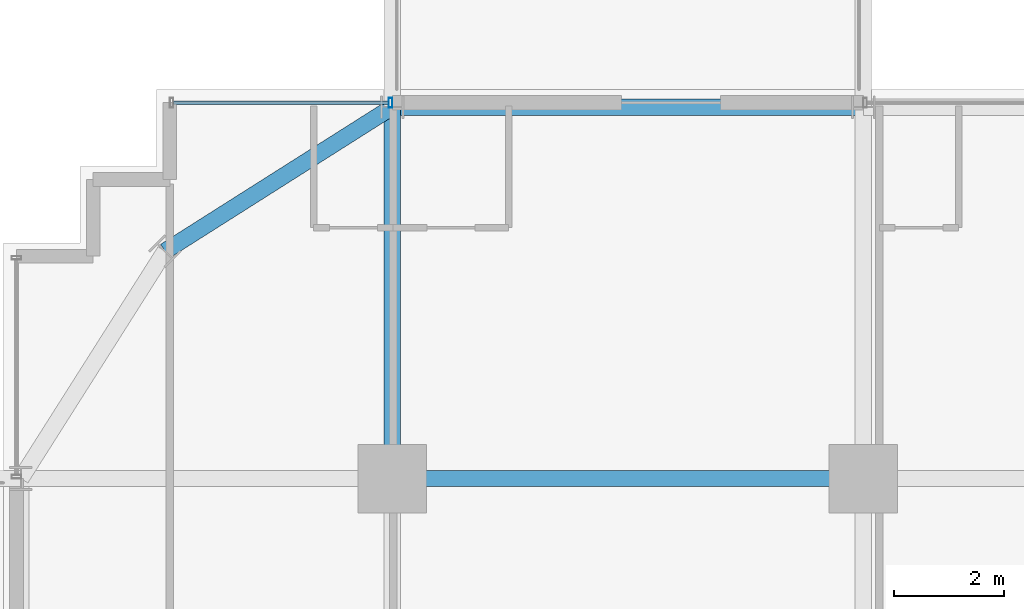
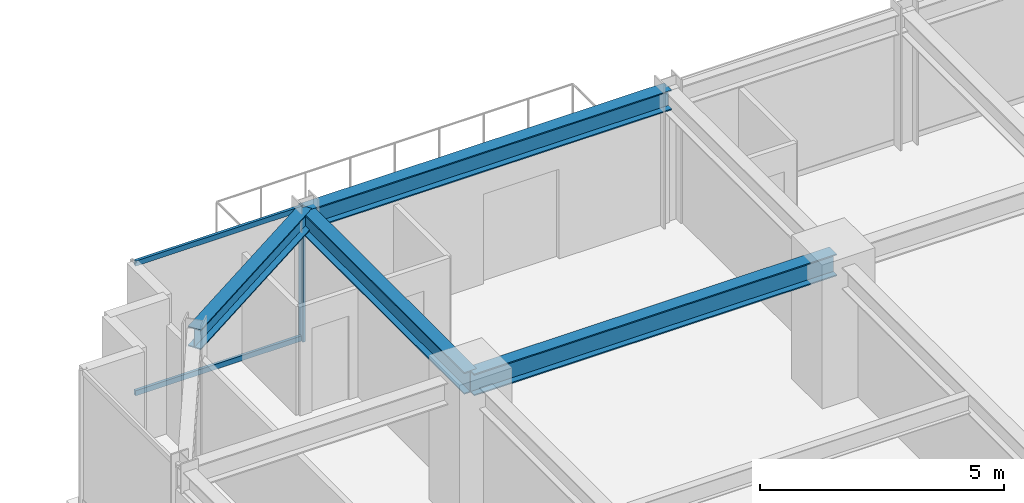
# One storey, part 19 of 35: 4 beams, 3 members, 1 element without a shape of its own.
"""IFC4 building model written with IfcOpenShell, lengths in metres."""

import ifcopenshell
import ifcopenshell.guid

model = None  # the IFC model being written
_history = None  # IfcOwnerHistory: only IFC2X3 demands one
_inside = {}  # id of a spatial element -> (the spatial element, [elements in it])
_under = {}  # id of a project, library or spatial element -> (it, [spatial elements below it])
_declared = {}  # id of a project -> (the project, [libraries it declares])
_typed = {}  # id of a type object -> (the type object, [elements of that type])
_made_of = {}  # id of a material, layer set ... -> (it, [elements and type objects made of it])


def new_model(schema):
    """Start an empty IFC model of exactly this schema.

    Asked for "IFC4X3", IfcOpenShell would pick the latest addendum, in which some entities
    have other attributes; the version numbers below select the first issue.
    IFC2X3 requires an IfcOwnerHistory on every rooted entity: one is made here for all.
    """
    global model, _history
    if schema == "IFC4X3":
        model = ifcopenshell.file(schema_version=(4, 3, 0, 0))
    else:
        model = ifcopenshell.file(schema=schema)
    _inside.clear()
    _under.clear()
    _declared.clear()
    _typed.clear()
    _made_of.clear()
    _history = None
    if model.schema == "IFC2X3":
        org = make("IfcOrganization", Name="unknown")
        user = make(
            "IfcPersonAndOrganization",
            ThePerson=make("IfcPerson", FamilyName="unknown"),
            TheOrganization=org,
        )
        app = make(
            "IfcApplication",
            ApplicationDeveloper=org,
            Version="unknown",
            ApplicationFullName="unknown",
            ApplicationIdentifier="unknown",
        )
        _history = make(
            "IfcOwnerHistory",
            OwningUser=user,
            OwningApplication=app,
            ChangeAction="ADDED",
            CreationDate=0,
        )
    return model


def make(cls, **values):
    """One entity of the class cls with the attributes given. An attribute that is None is left unset."""
    return model.create_entity(
        cls, **{name: value for name, value in values.items() if value is not None}
    )


def rooted(cls, **values):
    """An entity with a GlobalId (a new one), such as an element, a storey or a relation."""
    return make(cls, GlobalId=ifcopenshell.guid.new(), OwnerHistory=_history, **values)


def si_unit(unit_type, name, prefix=None):
    """IfcSIUnit, for example si_unit("LENGTHUNIT", "METRE", prefix="MILLI")."""
    return make("IfcSIUnit", UnitType=unit_type, Prefix=prefix, Name=name)


def assignment(units):
    """IfcUnitAssignment: the units of a project."""
    return None if units is None else make("IfcUnitAssignment", Units=units)


def point(xyz):
    """IfcCartesianPoint."""
    return None if xyz is None else make("IfcCartesianPoint", Coordinates=xyz)


def direction(xyz):
    """IfcDirection."""
    return None if xyz is None else make("IfcDirection", DirectionRatios=xyz)


def frame(location, z_axis=None, x_axis=None):
    """IfcAxis2Placement3D, a coordinate frame: its origin and axes. An axis left out is left unset."""
    return make(
        "IfcAxis2Placement3D",
        Location=point(location),
        Axis=direction(z_axis),
        RefDirection=direction(x_axis),
    )


def frame_2d(location, x_axis=None):
    """IfcAxis2Placement2D, a coordinate frame in the plane: its origin and x axis."""
    return make(
        "IfcAxis2Placement2D", Location=point(location), RefDirection=direction(x_axis)
    )


def origin():
    """The frame at (0, 0, 0) with its axes left unset."""
    return frame((0.0, 0.0, 0.0))


def origin_2d():
    """The frame at (0, 0) in the plane with its x axis left unset."""
    return frame_2d((0.0, 0.0))


def place(relative_to, where):
    """IfcLocalPlacement: puts the frame where relative to a parent placement (None: the world)."""
    return make(
        "IfcLocalPlacement", PlacementRelTo=relative_to, RelativePlacement=where
    )


def context(
    kind, dimensions, precision=None, world=None, true_north=None, identifier=None
):
    """IfcGeometricRepresentationContext, for example the 3D "Model" context."""
    return make(
        "IfcGeometricRepresentationContext",
        ContextIdentifier=identifier,
        ContextType=kind,
        CoordinateSpaceDimension=dimensions,
        Precision=precision,
        WorldCoordinateSystem=world,
        TrueNorth=true_north,
    )


def subcontext(parent, identifier, kind, view, scale=None):
    """IfcGeometricRepresentationSubContext, for example "Body" below "Model"."""
    return make(
        "IfcGeometricRepresentationSubContext",
        ContextIdentifier=identifier,
        ContextType=kind,
        ParentContext=parent,
        TargetScale=scale,
        TargetView=view,
    )


def project(units=None, contexts=None):
    """IfcProject with its units and contexts."""
    return rooted(
        "IfcProject",
        Name="project",
        RepresentationContexts=contexts,
        UnitsInContext=assignment(units),
    )


def spatial(cls, under=None, at=None, **own):
    """A site, building, storey or space (cls), placed at a placement, below another one or the project."""
    s = rooted(cls, ObjectPlacement=at, **own)
    if under is not None:
        _under.setdefault(under.id(), (under, []))[1].append(s)
    return s


def profile(cls, at=None, kind="AREA", **sizes):
    """A parametric profile (cls). Its sizes go by their IFC names, for example OverallWidth=200.0."""
    return make(cls, ProfileType=kind, Position=at, **sizes)


def hollow_rectangle(**sizes):
    """IfcRectangleHollowProfileDef."""
    return profile("IfcRectangleHollowProfileDef", **sizes)


def i_section(**sizes):
    """IfcIShapeProfileDef."""
    return profile("IfcIShapeProfileDef", **sizes)


def extrude(swept, where, along, depth):
    """IfcExtrudedAreaSolid: the profile swept, set in the frame where, extruded along a direction by depth."""
    return make(
        "IfcExtrudedAreaSolid",
        SweptArea=swept,
        Position=where,
        ExtrudedDirection=direction(along),
        Depth=depth,
    )


def shape(context_of_items, identifier, shape_type, items):
    """IfcShapeRepresentation: the items that make up one representation, for example the "Body"."""
    return make(
        "IfcShapeRepresentation",
        ContextOfItems=context_of_items,
        RepresentationIdentifier=identifier,
        RepresentationType=shape_type,
        Items=items,
    )


def source(mapping_origin, context_of_items, identifier, shape_type, items):
    """IfcRepresentationMap: a shape defined once, which mapped items show again and again."""
    return make(
        "IfcRepresentationMap",
        MappingOrigin=mapping_origin,
        MappedRepresentation=shape(context_of_items, identifier, shape_type, items),
    )


def transform(
    local_origin,
    x_axis=None,
    y_axis=None,
    z_axis=None,
    scale=None,
    scale2=None,
    scale3=None,
    uniform=True,
):
    """IfcCartesianTransformationOperator3D, or its non-uniform kind. x_axis, y_axis, z_axis: its Axis1, 2, 3."""
    if uniform:
        return make(
            "IfcCartesianTransformationOperator3D",
            Axis1=direction(x_axis),
            Axis2=direction(y_axis),
            LocalOrigin=point(local_origin),
            Scale=scale,
            Axis3=direction(z_axis),
        )
    return make(
        "IfcCartesianTransformationOperator3DnonUniform",
        Axis1=direction(x_axis),
        Axis2=direction(y_axis),
        LocalOrigin=point(local_origin),
        Scale=scale,
        Axis3=direction(z_axis),
        Scale2=scale2,
        Scale3=scale3,
    )


def mapped(mapping_source, mapping_target):
    """IfcMappedItem: shows the shape of a source again, moved by a transform."""
    return make(
        "IfcMappedItem", MappingSource=mapping_source, MappingTarget=mapping_target
    )


def material(Name=None, Category=None):
    """IfcMaterial."""
    return make("IfcMaterial", Name=Name, Category=Category)


def material_profile(
    of_material, cross_section, Name=None, Category=None, Priority=None
):
    """IfcMaterialProfile: a cross section and its material."""
    return make(
        "IfcMaterialProfile",
        Name=Name,
        Material=of_material,
        Profile=cross_section,
        Priority=Priority,
        Category=Category,
    )


def profile_set(profiles, Name=None, composite=None):
    """IfcMaterialProfileSet."""
    return make(
        "IfcMaterialProfileSet",
        Name=Name,
        MaterialProfiles=profiles,
        CompositeProfile=composite,
    )


def made_of(thing, what):
    """Note that an element or type object is made of a material, layer set ...; save() writes the relation."""
    if what is not None:
        _made_of.setdefault(what.id(), (what, []))[1].append(thing)
    return thing


def type_object(cls, material=None, **own):
    """A type object (cls), such as IfcWallType, which elements share."""
    return made_of(rooted(cls, **own), material)


def element(
    cls,
    number,
    at=None,
    inside=None,
    cuts=None,
    type_object=None,
    material=None,
    context=None,
    identifier="Body",
    shape_type=None,
    held_by="IfcProductDefinitionShape",
    body=None,
    shapes=None,
    **own,
):
    """One element of the class cls, such as IfcWall. Its Tag is "e" and its number.

    at: its placement. inside: the storey or other place that contains it. cuts: it is an
    opening in that element (IfcRelVoidsElement). A single representation is given by context,
    identifier, shape_type and body (its items); several are given by shapes. held_by: the class
    of the entity that holds the representations. save() writes the other relations.
    """
    e = rooted(cls, Tag="e%d" % number, ObjectPlacement=at, **own)
    if body is not None:
        shapes = [shape(context, identifier, shape_type, body)]
    if shapes is not None:
        e.Representation = make(held_by, Representations=shapes)
    if inside is not None:
        _inside.setdefault(inside.id(), (inside, []))[1].append(e)
    if cuts is not None:
        rooted(
            "IfcRelVoidsElement", RelatingBuildingElement=cuts, RelatedOpeningElement=e
        )
    if type_object is not None:
        _typed.setdefault(type_object.id(), (type_object, []))[1].append(e)
    return made_of(e, material)


def aggregate(whole, parts):
    """IfcRelAggregates: a whole, such as a stair, and the parts it consists of."""
    return rooted("IfcRelAggregates", RelatingObject=whole, RelatedObjects=parts)


def save(model, path):
    """Write the relations noted so far, then the file.

    IfcRelAggregates (storeys below a building ...), IfcRelContainedInSpatialStructure (elements
    in a storey), IfcRelDefinesByType, IfcRelAssociatesMaterial and IfcRelDeclares: one each for
    every whole, place, type object, material and project.
    """
    for whole, parts in _under.values():
        aggregate(whole, parts)
    for where, things in _inside.values():
        rooted(
            "IfcRelContainedInSpatialStructure",
            RelatedElements=things,
            RelatingStructure=where,
        )
    for kind, things in _typed.values():
        rooted("IfcRelDefinesByType", RelatedObjects=things, RelatingType=kind)
    for what, things in _made_of.values():
        rooted("IfcRelAssociatesMaterial", RelatedObjects=things, RelatingMaterial=what)
    for by, libraries in _declared.values():
        rooted("IfcRelDeclares", RelatingContext=by, RelatedDefinitions=libraries)
    model.write(path)


model = new_model("IFC4")

# Units and contexts
model_context = context("Model", 3, precision=1e-05, world=origin(), true_north=direction((0.0, 1.0)))
body_context = subcontext(model_context, "Body", "Model", "MODEL_VIEW")
ifc_project = project(units=[si_unit("LENGTHUNIT", "METRE"), si_unit("AREAUNIT", "SQUARE_METRE"), si_unit("VOLUMEUNIT", "CUBIC_METRE"), si_unit("PLANEANGLEUNIT", "RADIAN"), si_unit("MASSUNIT", "GRAM", prefix="KILO")], contexts=[model_context])

# Site, building, storey
site_placement = place(None, origin())
site = spatial("IfcSite", under=ifc_project, at=site_placement, CompositionType="ELEMENT")
building_placement = place(site_placement, origin())
building = spatial("IfcBuilding", under=site, at=building_placement, Name="Nahalor Promenade Grand Hotel", CompositionType="ELEMENT")
storey_placement = place(building_placement, frame((0.0, 0.0, 121.14990234375)))
storey = spatial("IfcBuildingStorey", under=building, at=storey_placement, Name="L30", CompositionType="ELEMENT", Elevation=121.14990234375)

# Beams
ifc_material_1 = material(Name="Steel S355JR", Category="steel")
ifc_material_profile_1 = material_profile(ifc_material_1, i_section(OverallWidth=0.3, OverallDepth=0.5, WebThickness=0.0145, FlangeThickness=0.028, at=origin_2d()), Name="HEB 500")
ifc_profile_set_1 = profile_set([ifc_material_profile_1], Name="Steel S355JR")
beam_type_1 = type_object("IfcBeamType", Name="Beam-Spandrel-HEB500", PredefinedType="SPANDREL", material=ifc_profile_set_1)
shared_shape_1 = source(origin(), body_context, "Body", "SweptSolid", [
    extrude(i_section(OverallWidth=0.3, OverallDepth=0.5, WebThickness=0.0145, FlangeThickness=0.028, at=origin_2d()), origin(), (0.0, 0.0, 1.0), 8.60009765625),
])
beam_1_placement = place(storey_placement, frame((-17.0, 23.780029296875, 3.130126953125), z_axis=(1.0, 0.0, 0.0), x_axis=(0.0, 1.0, 0.0)))
element("IfcBeam", 1, at=beam_1_placement, inside=storey, type_object=beam_type_1, Name="BM-L30-SP-N-0", PredefinedType="SPANDREL", context=body_context, shape_type="MappedRepresentation", body=[
    mapped(shared_shape_1, transform((0.0, 0.0, 0.0), scale=1.0)),
])
shared_shape_2 = source(origin(), body_context, "Body", "SweptSolid", [
    extrude(i_section(OverallWidth=0.3, OverallDepth=0.5, WebThickness=0.0145, FlangeThickness=0.028, at=origin_2d()), origin(), (0.0, 0.0, 1.0), 4.9130859375),
])
beam_2_placement = place(storey_placement, frame((-17.0, 23.780029296875, 3.130126953125), z_axis=(-0.844648325505, -0.535321591403, 0.0), x_axis=(0.535321591403, -0.844648325505, 0.0)))
element("IfcBeam", 2, at=beam_2_placement, inside=storey, type_object=beam_type_1, Name="BM-L30-SPC-NW-1", PredefinedType="SPANDREL", context=body_context, shape_type="MappedRepresentation", body=[
    mapped(shared_shape_2, transform((0.0, 0.0, 0.0), scale=1.0)),
])
ifc_material_profile_2 = material_profile(ifc_material_1, i_section(OverallWidth=0.3, OverallDepth=0.55, WebThickness=0.015, FlangeThickness=0.029, at=origin_2d()), Name="HEB 550")
ifc_profile_set_2 = profile_set([ifc_material_profile_2], Name="Steel S355JR")
beam_type_2 = type_object("IfcBeamType", Name="Beam-Girder-HEB550", PredefinedType="BEAM", material=ifc_profile_set_2)
shared_shape_3 = source(origin(), body_context, "Body", "SweptSolid", [
    extrude(i_section(OverallWidth=0.3, OverallDepth=0.55, WebThickness=0.015, FlangeThickness=0.029, at=origin_2d()), origin(), (0.0, 0.0, 1.0), 6.780029296875),
])
beam_3_placement = place(storey_placement, frame((-17.0, 17.0, 3.10498046875), z_axis=(0.0, 1.0, 0.0), x_axis=(-1.0, 0.0, 0.0)))
element("IfcBeam", 3, at=beam_3_placement, inside=storey, type_object=beam_type_2, Name="BM-L30-GY-0-4", PredefinedType="BEAM", context=body_context, shape_type="MappedRepresentation", body=[
    mapped(shared_shape_3, transform((0.0, 0.0, 0.0), scale=1.0)),
])
shared_shape_4 = source(origin(), body_context, "Body", "SweptSolid", [
    extrude(i_section(OverallWidth=0.3, OverallDepth=0.55, WebThickness=0.015, FlangeThickness=0.029, at=origin_2d()), origin(), (0.0, 0.0, 1.0), 8.60009765625),
])
beam_4_placement = place(storey_placement, frame((-17.0, 17.0, 3.10498046875), z_axis=(1.0, 0.0, 0.0), x_axis=(0.0, 1.0, 0.0)))
element("IfcBeam", 4, at=beam_4_placement, inside=storey, type_object=beam_type_2, Name="BM-L30-GX-3-1", PredefinedType="BEAM", context=body_context, shape_type="MappedRepresentation", body=[
    mapped(shared_shape_4, transform((0.0, 0.0, 0.0), scale=1.0)),
])

# Curtain wall, members
ifc_material_2 = material(Name="Anodised Bronze Aluminium EN AW-6063 T6", Category="aluminium")
curtain_wall_type = type_object("IfcCurtainWallType", Name="CW2 Typical Hotel Flush Bronze Unitised Curtain Wall", PredefinedType="USERDEFINED", material=ifc_material_2)
curtain_wall_placement = place(storey_placement, origin())
curtain_wall = element("IfcCurtainWall", 5, at=curtain_wall_placement, inside=storey, type_object=curtain_wall_type, Name="L30 Curtain Wall CW-L30-N-1", ObjectType="UNITISED_CURTAIN_WALL", PredefinedType="USERDEFINED")
ifc_material_profile_3 = material_profile(ifc_material_2, hollow_rectangle(XDim=0.065, YDim=0.13, WallThickness=0.004, at=origin_2d()), Name="CWT 65x130x4")
ifc_profile_set_3 = profile_set([ifc_material_profile_3], Name="Anodised Bronze Aluminium EN AW-6063 T6")
member_type_1 = type_object("IfcMemberType", Name="CWT2 Typical Bronze Transom 65x130", PredefinedType="USERDEFINED", material=ifc_profile_set_3)
shared_shape_5 = source(origin(), body_context, "Body", "SweptSolid", [
    extrude(hollow_rectangle(XDim=0.065, YDim=0.13, WallThickness=0.004, at=origin_2d()), origin(), (0.0, 0.0, 1.0), 3.93017578125),
])
member_1_placement = place(storey_placement, frame((-20.9951171875, 23.860107421875, 0.065185546875), z_axis=(1.0, 0.0, 0.0), x_axis=(0.0, 1.0, 0.0)))
member_1 = element("IfcMember", 6, at=member_1_placement, type_object=member_type_1, Name="CW-L30-N-1 Transom 0-0", ObjectType="TRANSOM", PredefinedType="USERDEFINED", context=body_context, shape_type="MappedRepresentation", body=[
    mapped(shared_shape_5, transform((0.0, 0.0, 0.0), scale=1.0)),
])
member_2_placement = place(storey_placement, frame((-20.9951171875, 23.860107421875, 3.315185546875), z_axis=(1.0, 0.0, 0.0), x_axis=(0.0, 1.0, 0.0)))
member_2 = element("IfcMember", 7, at=member_2_placement, type_object=member_type_1, Name="CW-L30-N-1 Transom 0-1", ObjectType="TRANSOM", PredefinedType="USERDEFINED", context=body_context, shape_type="MappedRepresentation", body=[
    mapped(shared_shape_5, transform((0.0, 0.0, 0.0), scale=1.0)),
])
ifc_material_profile_4 = material_profile(ifc_material_2, hollow_rectangle(XDim=0.065, YDim=0.18, WallThickness=0.004, at=origin_2d()), Name="CWM 65x180x4")
ifc_profile_set_4 = profile_set([ifc_material_profile_4], Name="Anodised Bronze Aluminium EN AW-6063 T6")
member_type_2 = type_object("IfcMemberType", Name="CWM2 Typical Bronze Mullion 65x180", PredefinedType="MULLION", material=ifc_profile_set_4)
shared_shape_6 = source(origin(), body_context, "Body", "SweptSolid", [
    extrude(hollow_rectangle(XDim=0.065, YDim=0.18, WallThickness=0.004, at=origin_2d()), origin(), (0.0, 0.0, 1.0), 3.380126953125),
])
member_3_placement = place(storey_placement, frame((-17.032470703125, 23.860107421875, 0.0), z_axis=(0.0, 0.0, 1.0), x_axis=(1.0, 0.0, 0.0)))
member_3 = element("IfcMember", 8, at=member_3_placement, type_object=member_type_2, Name="CW-L30-N-1 Mullion 1", PredefinedType="MULLION", context=body_context, shape_type="MappedRepresentation", body=[
    mapped(shared_shape_6, transform((0.0, 0.0, 0.0), scale=1.0)),
])
aggregate(curtain_wall, [member_3, member_1, member_2])

save(model, "model.ifc")
